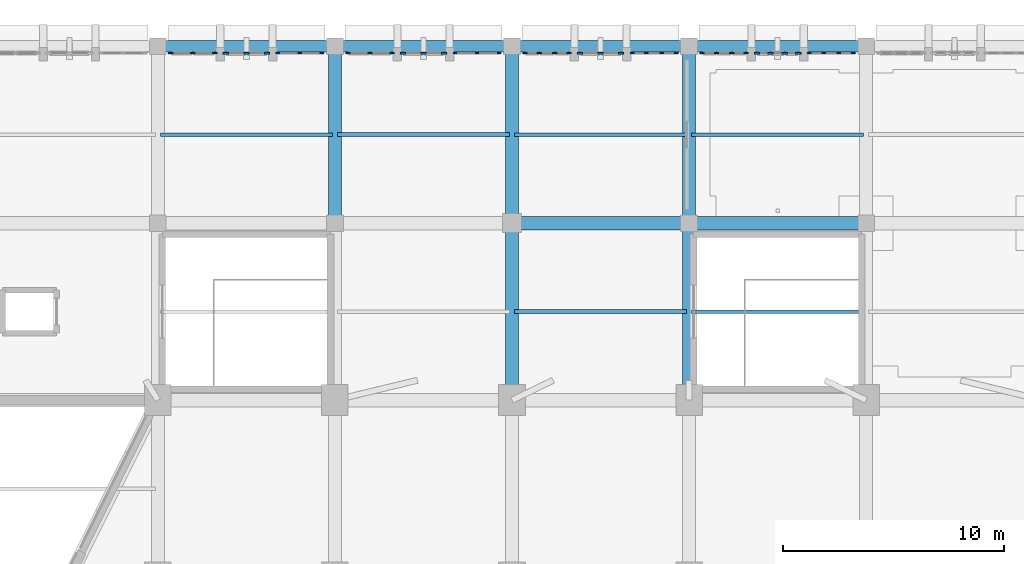
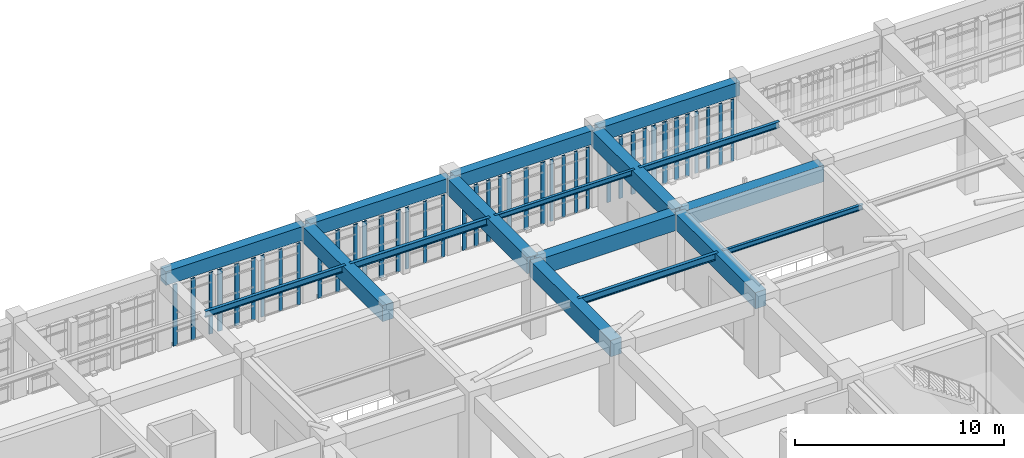
# One storey, part 31 of 155: 41 members, 17 beams, 12 elements without a shape of their own.
"""IFC4 building model written with IfcOpenShell, lengths in metres."""

from ifc_helpers import new_model, si_unit, direction, frame, origin, origin_2d, place, context, subcontext, project, spatial, rectangle, i_section, extrude, material, layer, layer_set, material_profile, profile_set, type_object, element, aggregate, save


model = new_model("IFC4")

# Units and contexts
model_context = context("Model", 3, precision=1e-05, world=origin(), true_north=direction((0.0, 1.0)))
body_context = subcontext(model_context, "Body", "Model", "MODEL_VIEW")
ifc_project = project(units=[si_unit("LENGTHUNIT", "METRE"), si_unit("AREAUNIT", "SQUARE_METRE"), si_unit("VOLUMEUNIT", "CUBIC_METRE"), si_unit("PLANEANGLEUNIT", "RADIAN"), si_unit("MASSUNIT", "GRAM", prefix="KILO")], contexts=[model_context])

# Site, building, storey
site_placement = place(None, origin())
site = spatial("IfcSite", under=ifc_project, at=site_placement, CompositionType="ELEMENT")
building_placement = place(site_placement, origin())
building = spatial("IfcBuilding", under=site, at=building_placement, Name="Tazarka Park Arena", CompositionType="ELEMENT")
storey_placement = place(building_placement, frame((0.0, 0.0, 5.39990234375)))
storey = spatial("IfcBuildingStorey", under=building, at=storey_placement, Name="L01", CompositionType="ELEMENT", Elevation=5.39990234375)

# Beams
ifc_material_1 = material(Name="Concrete C40/50", Category="concrete")
ifc_material_profile_1 = material_profile(ifc_material_1, rectangle(XDim=0.60009765625, YDim=0.949951171875, at=origin_2d()), Name="Concrete C40/50")
ifc_profile_set_1 = profile_set([ifc_material_profile_1], Name="Concrete C40/50")
beam_type_1 = type_object("IfcBeamType", Name="BM-B-03", PredefinedType="BEAM", material=ifc_profile_set_1)
for number, where, z_axis, x_axis, name in (
    (1, (72.0, 120.1201171875, 3.945068359375), (0.0, 1.0, 0.0), (-1.0, 0.0, 0.0), "GYM-L01-09-15"),
    (2, (80.0, 112.1201171875, 3.945068359375), (0.0, 1.0, 0.0), (-1.0, 0.0, 0.0), "GYM-L01-10-14"),
    (3, (80.1201171875, 120.0, 3.945068359375), (1.0, 0.0, 0.0), (0.0, 1.0, 0.0), "GXM-L01-10-15"),
    (4, (80.0, 120.1201171875, 3.945068359375), (0.0, 1.0, 0.0), (-1.0, 0.0, 0.0), "GYM-L01-10-15"),
    (5, (88.0, 112.1201171875, 3.945068359375), (0.0, 1.0, 0.0), (-1.0, 0.0, 0.0), "GYM-L01-11-14"),
    (6, (88.1201171875, 120.0, 3.945068359375), (1.0, 0.0, 0.0), (0.0, 1.0, 0.0), "GXM-L01-11-15"),
    (7, (88.0, 120.1201171875, 3.945068359375), (0.0, 1.0, 0.0), (-1.0, 0.0, 0.0), "GYM-L01-11-15"),
):
    element("IfcBeam", number, at=place(storey_placement, frame(where, z_axis=z_axis, x_axis=x_axis)), inside=storey, type_object=beam_type_1, Name=name, PredefinedType="BEAM", context=body_context, shape_type="SweptSolid", body=[
        extrude(rectangle(XDim=0.60009765625, YDim=0.949951171875, at=origin_2d()), origin(), (0.0, 0.0, 1.0), 7.759765625),
    ])
ifc_material_2 = material(Name="Steel S355", Category="steel")
ifc_material_profile_2 = material_profile(ifc_material_2, i_section(OverallWidth=0.14990234375, OverallDepth=0.300048828125, WebThickness=0.007080078125, FlangeThickness=0.0107421875, FilletRadius=0.014892578125, at=origin_2d()), Name="Steel S355")
ifc_profile_set_2 = profile_set([ifc_material_profile_2], Name="Steel S355")
beam_type_2 = type_object("IfcBeamType", Name="BM-J-01", PredefinedType="JOIST", material=ifc_profile_set_2)
for number, where, z_axis, x_axis, name in (
    (8, (80.1201171875, 124.0, 4.27001953125), (1.0, 0.0, 0.0), (0.0, 1.0, 0.0), "JST-L01-10-15"),
    (9, (88.1201171875, 116.0, 4.27001953125), (1.0, 0.0, 0.0), (0.0, 1.0, 0.0), "JST-L01-11-14"),
):
    element("IfcBeam", number, at=place(storey_placement, frame(where, z_axis=z_axis, x_axis=x_axis)), inside=storey, type_object=beam_type_2, Name=name, PredefinedType="JOIST", context=body_context, shape_type="SweptSolid", body=[
        extrude(i_section(OverallWidth=0.14990234375, OverallDepth=0.300048828125, WebThickness=0.007080078125, FlangeThickness=0.0107421875, FilletRadius=0.014892578125, at=origin_2d()), origin(), (0.0, 0.0, 1.0), 7.759765625),
    ])
ifc_material_3 = material(Name="Steel S355", Category="steel")
ifc_material_profile_3 = material_profile(ifc_material_3, i_section(OverallWidth=0.169921875, OverallDepth=0.360107421875, WebThickness=0.008056640625, FlangeThickness=0.0126953125, FilletRadius=0.01806640625, at=origin_2d()), Name="Steel S355")
ifc_profile_set_3 = profile_set([ifc_material_profile_3], Name="Steel S355")
beam_type_3 = type_object("IfcBeamType", Name="BM-J-02", PredefinedType="JOIST", material=ifc_profile_set_3)
for number, where, z_axis, x_axis, name in (
    (10, (64.1201171875, 124.0, 4.239990234375), (1.0, 0.0, 0.0), (0.0, 1.0, 0.0), "JST-L01-08-15"),
    (11, (88.1201171875, 124.0, 4.239990234375), (1.0, 0.0, 0.0), (0.0, 1.0, 0.0), "JST-L01-11-15"),
):
    element("IfcBeam", number, at=place(storey_placement, frame(where, z_axis=z_axis, x_axis=x_axis)), inside=storey, type_object=beam_type_3, Name=name, PredefinedType="JOIST", context=body_context, shape_type="SweptSolid", body=[
        extrude(i_section(OverallWidth=0.169921875, OverallDepth=0.360107421875, WebThickness=0.008056640625, FlangeThickness=0.0126953125, FilletRadius=0.01806640625, at=origin_2d()), origin(), (0.0, 0.0, 1.0), 7.759765625),
    ])
ifc_material_4 = material(Name="Steel S355", Category="steel")
ifc_material_profile_4 = material_profile(ifc_material_4, i_section(OverallWidth=0.179931640625, OverallDepth=0.39990234375, WebThickness=0.008544921875, FlangeThickness=0.013427734375, FilletRadius=0.02099609375, at=origin_2d()), Name="Steel S355")
ifc_profile_set_4 = profile_set([ifc_material_profile_4], Name="Steel S355")
beam_type_4 = type_object("IfcBeamType", Name="BM-J-03", PredefinedType="JOIST", material=ifc_profile_set_4)
for number, where, z_axis, x_axis, name in (
    (12, (72.1201171875, 124.0, 4.22021484375), (1.0, 0.0, 0.0), (0.0, 1.0, 0.0), "JST-L01-09-15"),
    (13, (80.1201171875, 116.0, 4.22021484375), (1.0, 0.0, 0.0), (0.0, 1.0, 0.0), "JST-L01-10-14"),
):
    element("IfcBeam", number, at=place(storey_placement, frame(where, z_axis=z_axis, x_axis=x_axis)), inside=storey, type_object=beam_type_4, Name=name, PredefinedType="JOIST", context=body_context, shape_type="SweptSolid", body=[
        extrude(i_section(OverallWidth=0.179931640625, OverallDepth=0.39990234375, WebThickness=0.008544921875, FlangeThickness=0.013427734375, FilletRadius=0.02099609375, at=origin_2d()), origin(), (0.0, 0.0, 1.0), 7.759765625),
    ])
ifc_material_5 = material(Name="Concrete C40/50", Category="concrete")
ifc_material_profile_5 = material_profile(ifc_material_5, rectangle(XDim=0.5, YDim=0.800048828125, at=origin_2d()), Name="Concrete C40/50")
ifc_profile_set_5 = profile_set([ifc_material_profile_5], Name="Concrete C40/50")
beam_type_5 = type_object("IfcBeamType", Name="BM-SP-01", PredefinedType="SPANDREL", material=ifc_profile_set_5)
for number, where, z_axis, x_axis, name in (
    (14, (64.1201171875, 128.0, 4.02001953125), (1.0, 0.0, 0.0), (0.0, 1.0, 0.0), "GXM-L01-08-16"),
    (15, (72.1201171875, 128.0, 4.02001953125), (1.0, 0.0, 0.0), (0.0, 1.0, 0.0), "GXM-L01-09-16"),
    (16, (80.1201171875, 128.0, 4.02001953125), (1.0, 0.0, 0.0), (0.0, 1.0, 0.0), "GXM-L01-10-16"),
    (17, (88.1201171875, 128.0, 4.02001953125), (1.0, 0.0, 0.0), (0.0, 1.0, 0.0), "GXM-L01-11-16"),
):
    element("IfcBeam", number, at=place(storey_placement, frame(where, z_axis=z_axis, x_axis=x_axis)), inside=storey, type_object=beam_type_5, Name=name, PredefinedType="SPANDREL", context=body_context, shape_type="SweptSolid", body=[
        extrude(rectangle(XDim=0.5, YDim=0.800048828125, at=origin_2d()), origin(), (0.0, 0.0, 1.0), 7.759765625),
    ])

# Curtain wall, members
ifc_material_6 = material(Name="Aluminium and low-e glass", Category="aluminium")
ifc_layer_1 = layer(ifc_material_6, 0.179931640625, Name="Aluminium and low-e glass")
ifc_layer_set_1 = layer_set([ifc_layer_1], Name="Aluminium and low-e glass")
curtain_wall_type_1 = type_object("IfcCurtainWallType", Name="CW-06", PredefinedType="NOTDEFINED", material=ifc_layer_set_1)
curtain_wall_1_placement = place(storey_placement, origin())
curtain_wall_1 = element("IfcCurtainWall", 18, at=curtain_wall_1_placement, inside=storey, type_object=curtain_wall_type_1, Name="Curtain Wall CWA-L01-036", PredefinedType="NOTDEFINED")
ifc_material_7 = material(Name="Aluminium 6060-T66", Category="aluminium")
ifc_material_profile_6 = material_profile(ifc_material_7, rectangle(XDim=0.06494140625, YDim=0.179931640625, at=origin_2d()), Name="Aluminium 6060-T66")
ifc_profile_set_6 = profile_set([ifc_material_profile_6], Name="Aluminium 6060-T66")
member_type_1 = type_object("IfcMemberType", Name="CWM-01", PredefinedType="MULLION", material=ifc_profile_set_6)
member_1_placement = place(storey_placement, frame((93.42431640625, 127.679931640625, 0.0), z_axis=(0.0, 0.0, 1.0), x_axis=(0.0, 1.0, 0.0)))
member_1 = element("IfcMember", 19, at=member_1_placement, type_object=member_type_1, Name="CW-06 mullion 1", PredefinedType="MULLION", context=body_context, shape_type="SweptSolid", body=[
    extrude(rectangle(XDim=0.06494140625, YDim=0.179931640625, at=origin_2d()), origin(), (0.0, 0.0, 1.0), 3.60009765625),
])
member_2_placement = place(storey_placement, frame((94.076171875, 127.679931640625, 0.0), z_axis=(0.0, 0.0, 1.0), x_axis=(0.0, 1.0, 0.0)))
member_2 = element("IfcMember", 20, at=member_2_placement, type_object=member_type_1, Name="CW-06 mullion 2", PredefinedType="MULLION", context=body_context, shape_type="SweptSolid", body=[
    extrude(rectangle(XDim=0.06494140625, YDim=0.179931640625, at=origin_2d()), origin(), (0.0, 0.0, 1.0), 3.60009765625),
])
member_3_placement = place(storey_placement, frame((94.760498046875, 127.679931640625, 0.0), z_axis=(0.0, 0.0, 1.0), x_axis=(0.0, 1.0, 0.0)))
member_3 = element("IfcMember", 21, at=member_3_placement, type_object=member_type_1, Name="CW-06 mullion 3", PredefinedType="MULLION", context=body_context, shape_type="SweptSolid", body=[
    extrude(rectangle(XDim=0.06494140625, YDim=0.179931640625, at=origin_2d()), origin(), (0.0, 0.0, 1.0), 3.60009765625),
])
member_4_placement = place(storey_placement, frame((95.41259765625, 127.679931640625, 0.0), z_axis=(0.0, 0.0, 1.0), x_axis=(0.0, 1.0, 0.0)))
member_4 = element("IfcMember", 22, at=member_4_placement, type_object=member_type_1, Name="CW-06 mullion 4", PredefinedType="MULLION", context=body_context, shape_type="SweptSolid", body=[
    extrude(rectangle(XDim=0.06494140625, YDim=0.179931640625, at=origin_2d()), origin(), (0.0, 0.0, 1.0), 3.60009765625),
])
aggregate(curtain_wall_1, [member_1, member_2, member_3, member_4])

ifc_material_8 = material(Name="Aluminium and low-e glass", Category="aluminium")
ifc_layer_2 = layer(ifc_material_8, 0.179931640625, Name="Aluminium and low-e glass")
ifc_layer_set_2 = layer_set([ifc_layer_2], Name="Aluminium and low-e glass")
curtain_wall_type_2 = type_object("IfcCurtainWallType", Name="CW-09", PredefinedType="NOTDEFINED", material=ifc_layer_set_2)
curtain_wall_2_placement = place(storey_placement, origin())
curtain_wall_2 = element("IfcCurtainWall", 23, at=curtain_wall_2_placement, inside=storey, type_object=curtain_wall_type_2, Name="Curtain Wall CWA-L01-039", PredefinedType="NOTDEFINED")
member_5_placement = place(storey_placement, frame((85.42431640625, 127.679931640625, 0.0), z_axis=(0.0, 0.0, 1.0), x_axis=(0.0, 1.0, 0.0)))
member_5 = element("IfcMember", 24, at=member_5_placement, type_object=member_type_1, Name="CW-09 mullion 1", PredefinedType="MULLION", context=body_context, shape_type="SweptSolid", body=[
    extrude(rectangle(XDim=0.06494140625, YDim=0.179931640625, at=origin_2d()), origin(), (0.0, 0.0, 1.0), 3.60009765625),
])
member_6_placement = place(storey_placement, frame((86.076171875, 127.679931640625, 0.0), z_axis=(0.0, 0.0, 1.0), x_axis=(0.0, 1.0, 0.0)))
member_6 = element("IfcMember", 25, at=member_6_placement, type_object=member_type_1, Name="CW-09 mullion 2", PredefinedType="MULLION", context=body_context, shape_type="SweptSolid", body=[
    extrude(rectangle(XDim=0.06494140625, YDim=0.179931640625, at=origin_2d()), origin(), (0.0, 0.0, 1.0), 3.60009765625),
])
member_7_placement = place(storey_placement, frame((86.760498046875, 127.679931640625, 0.0), z_axis=(0.0, 0.0, 1.0), x_axis=(0.0, 1.0, 0.0)))
member_7 = element("IfcMember", 26, at=member_7_placement, type_object=member_type_1, Name="CW-09 mullion 3", PredefinedType="MULLION", context=body_context, shape_type="SweptSolid", body=[
    extrude(rectangle(XDim=0.06494140625, YDim=0.179931640625, at=origin_2d()), origin(), (0.0, 0.0, 1.0), 3.60009765625),
])
member_8_placement = place(storey_placement, frame((87.41259765625, 127.679931640625, 0.0), z_axis=(0.0, 0.0, 1.0), x_axis=(0.0, 1.0, 0.0)))
member_8 = element("IfcMember", 27, at=member_8_placement, type_object=member_type_1, Name="CW-09 mullion 4", PredefinedType="MULLION", context=body_context, shape_type="SweptSolid", body=[
    extrude(rectangle(XDim=0.06494140625, YDim=0.179931640625, at=origin_2d()), origin(), (0.0, 0.0, 1.0), 3.60009765625),
])
aggregate(curtain_wall_2, [member_5, member_6, member_7, member_8])

ifc_material_9 = material(Name="Aluminium and low-e glass", Category="aluminium")
ifc_layer_3 = layer(ifc_material_9, 0.179931640625, Name="Aluminium and low-e glass")
ifc_layer_set_3 = layer_set([ifc_layer_3], Name="Aluminium and low-e glass")
curtain_wall_type_3 = type_object("IfcCurtainWallType", Name="CW-12", PredefinedType="NOTDEFINED", material=ifc_layer_set_3)
curtain_wall_3_placement = place(storey_placement, origin())
curtain_wall_3 = element("IfcCurtainWall", 28, at=curtain_wall_3_placement, inside=storey, type_object=curtain_wall_type_3, Name="Curtain Wall CWA-L01-042", PredefinedType="NOTDEFINED")
member_9_placement = place(storey_placement, frame((77.42431640625, 127.679931640625, 0.0), z_axis=(0.0, 0.0, 1.0), x_axis=(0.0, 1.0, 0.0)))
member_9 = element("IfcMember", 29, at=member_9_placement, type_object=member_type_1, Name="CW-12 mullion 1", PredefinedType="MULLION", context=body_context, shape_type="SweptSolid", body=[
    extrude(rectangle(XDim=0.06494140625, YDim=0.179931640625, at=origin_2d()), origin(), (0.0, 0.0, 1.0), 3.60009765625),
])
member_10_placement = place(storey_placement, frame((78.41845703125, 127.679931640625, 0.0), z_axis=(0.0, 0.0, 1.0), x_axis=(0.0, 1.0, 0.0)))
member_10 = element("IfcMember", 30, at=member_10_placement, type_object=member_type_1, Name="CW-12 mullion 2", PredefinedType="MULLION", context=body_context, shape_type="SweptSolid", body=[
    extrude(rectangle(XDim=0.06494140625, YDim=0.179931640625, at=origin_2d()), origin(), (0.0, 0.0, 1.0), 3.60009765625),
])
member_11_placement = place(storey_placement, frame((79.41259765625, 127.679931640625, 0.0), z_axis=(0.0, 0.0, 1.0), x_axis=(0.0, 1.0, 0.0)))
member_11 = element("IfcMember", 31, at=member_11_placement, type_object=member_type_1, Name="CW-12 mullion 3", PredefinedType="MULLION", context=body_context, shape_type="SweptSolid", body=[
    extrude(rectangle(XDim=0.06494140625, YDim=0.179931640625, at=origin_2d()), origin(), (0.0, 0.0, 1.0), 3.60009765625),
])
aggregate(curtain_wall_3, [member_9, member_10, member_11])

ifc_material_10 = material(Name="Aluminium and low-e glass", Category="aluminium")
ifc_layer_4 = layer(ifc_material_10, 0.179931640625, Name="Aluminium and low-e glass")
ifc_layer_set_4 = layer_set([ifc_layer_4], Name="Aluminium and low-e glass")
curtain_wall_type_4 = type_object("IfcCurtainWallType", Name="CW-15", PredefinedType="NOTDEFINED", material=ifc_layer_set_4)
curtain_wall_4_placement = place(storey_placement, origin())
curtain_wall_4 = element("IfcCurtainWall", 32, at=curtain_wall_4_placement, inside=storey, type_object=curtain_wall_type_4, Name="Curtain Wall CWA-L01-045", PredefinedType="NOTDEFINED")
member_12_placement = place(storey_placement, frame((69.42431640625, 127.679931640625, 0.0), z_axis=(0.0, 0.0, 1.0), x_axis=(0.0, 1.0, 0.0)))
member_12 = element("IfcMember", 33, at=member_12_placement, type_object=member_type_1, Name="CW-15 mullion 1", PredefinedType="MULLION", context=body_context, shape_type="SweptSolid", body=[
    extrude(rectangle(XDim=0.06494140625, YDim=0.179931640625, at=origin_2d()), origin(), (0.0, 0.0, 1.0), 3.60009765625),
])
member_13_placement = place(storey_placement, frame((70.41845703125, 127.679931640625, 0.0), z_axis=(0.0, 0.0, 1.0), x_axis=(0.0, 1.0, 0.0)))
member_13 = element("IfcMember", 34, at=member_13_placement, type_object=member_type_1, Name="CW-15 mullion 2", PredefinedType="MULLION", context=body_context, shape_type="SweptSolid", body=[
    extrude(rectangle(XDim=0.06494140625, YDim=0.179931640625, at=origin_2d()), origin(), (0.0, 0.0, 1.0), 3.60009765625),
])
member_14_placement = place(storey_placement, frame((71.41259765625, 127.679931640625, 0.0), z_axis=(0.0, 0.0, 1.0), x_axis=(0.0, 1.0, 0.0)))
member_14 = element("IfcMember", 35, at=member_14_placement, type_object=member_type_1, Name="CW-15 mullion 3", PredefinedType="MULLION", context=body_context, shape_type="SweptSolid", body=[
    extrude(rectangle(XDim=0.06494140625, YDim=0.179931640625, at=origin_2d()), origin(), (0.0, 0.0, 1.0), 3.60009765625),
])
aggregate(curtain_wall_4, [member_12, member_13, member_14])

ifc_material_11 = material(Name="Aluminium and low-e glass", Category="aluminium")
ifc_layer_5 = layer(ifc_material_11, 0.179931640625, Name="Aluminium and low-e glass")
ifc_layer_set_5 = layer_set([ifc_layer_5], Name="Aluminium and low-e glass")
curtain_wall_type_5 = type_object("IfcCurtainWallType", Name="CW-04", PredefinedType="NOTDEFINED", material=ifc_layer_set_5)
curtain_wall_5_placement = place(storey_placement, origin())
curtain_wall_5 = element("IfcCurtainWall", 36, at=curtain_wall_5_placement, inside=storey, type_object=curtain_wall_type_5, Name="Curtain Wall CWA-L01-034", PredefinedType="NOTDEFINED")
ifc_material_12 = material(Name="Aluminium 6060-T66", Category="aluminium")
ifc_material_profile_7 = material_profile(ifc_material_12, rectangle(XDim=0.06494140625, YDim=0.219970703125, at=origin_2d()), Name="Aluminium 6060-T66")
ifc_profile_set_7 = profile_set([ifc_material_profile_7], Name="Aluminium 6060-T66")
member_type_2 = type_object("IfcMemberType", Name="CWM-02", PredefinedType="MULLION", material=ifc_profile_set_7)
member_15_placement = place(storey_placement, frame((88.58740234375, 127.679931640625, 0.0), z_axis=(0.0, 0.0, 1.0), x_axis=(0.0, 1.0, 0.0)))
member_15 = element("IfcMember", 37, at=member_15_placement, type_object=member_type_2, Name="CW-04 mullion 1", PredefinedType="MULLION", context=body_context, shape_type="SweptSolid", body=[
    extrude(rectangle(XDim=0.06494140625, YDim=0.219970703125, at=origin_2d()), origin(), (0.0, 0.0, 1.0), 3.60009765625),
])
member_16_placement = place(storey_placement, frame((89.239501953125, 127.679931640625, 0.0), z_axis=(0.0, 0.0, 1.0), x_axis=(0.0, 1.0, 0.0)))
member_16 = element("IfcMember", 38, at=member_16_placement, type_object=member_type_2, Name="CW-04 mullion 2", PredefinedType="MULLION", context=body_context, shape_type="SweptSolid", body=[
    extrude(rectangle(XDim=0.06494140625, YDim=0.219970703125, at=origin_2d()), origin(), (0.0, 0.0, 1.0), 3.60009765625),
])
member_17_placement = place(storey_placement, frame((89.923828125, 127.679931640625, 0.0), z_axis=(0.0, 0.0, 1.0), x_axis=(0.0, 1.0, 0.0)))
member_17 = element("IfcMember", 39, at=member_17_placement, type_object=member_type_2, Name="CW-04 mullion 3", PredefinedType="MULLION", context=body_context, shape_type="SweptSolid", body=[
    extrude(rectangle(XDim=0.06494140625, YDim=0.219970703125, at=origin_2d()), origin(), (0.0, 0.0, 1.0), 3.60009765625),
])
member_18_placement = place(storey_placement, frame((90.57568359375, 127.679931640625, 0.0), z_axis=(0.0, 0.0, 1.0), x_axis=(0.0, 1.0, 0.0)))
member_18 = element("IfcMember", 40, at=member_18_placement, type_object=member_type_2, Name="CW-04 mullion 4", PredefinedType="MULLION", context=body_context, shape_type="SweptSolid", body=[
    extrude(rectangle(XDim=0.06494140625, YDim=0.219970703125, at=origin_2d()), origin(), (0.0, 0.0, 1.0), 3.60009765625),
])
aggregate(curtain_wall_5, [member_15, member_16, member_17, member_18])

ifc_material_13 = material(Name="Aluminium and low-e glass", Category="aluminium")
ifc_layer_6 = layer(ifc_material_13, 0.179931640625, Name="Aluminium and low-e glass")
ifc_layer_set_6 = layer_set([ifc_layer_6], Name="Aluminium and low-e glass")
curtain_wall_type_6 = type_object("IfcCurtainWallType", Name="CW-07", PredefinedType="NOTDEFINED", material=ifc_layer_set_6)
curtain_wall_6_placement = place(storey_placement, origin())
curtain_wall_6 = element("IfcCurtainWall", 41, at=curtain_wall_6_placement, inside=storey, type_object=curtain_wall_type_6, Name="Curtain Wall CWA-L01-037", PredefinedType="NOTDEFINED")
member_19_placement = place(storey_placement, frame((80.58740234375, 127.679931640625, 0.0), z_axis=(0.0, 0.0, 1.0), x_axis=(0.0, 1.0, 0.0)))
member_19 = element("IfcMember", 42, at=member_19_placement, type_object=member_type_2, Name="CW-07 mullion 1", PredefinedType="MULLION", context=body_context, shape_type="SweptSolid", body=[
    extrude(rectangle(XDim=0.06494140625, YDim=0.219970703125, at=origin_2d()), origin(), (0.0, 0.0, 1.0), 3.60009765625),
])
member_20_placement = place(storey_placement, frame((81.239501953125, 127.679931640625, 0.0), z_axis=(0.0, 0.0, 1.0), x_axis=(0.0, 1.0, 0.0)))
member_20 = element("IfcMember", 43, at=member_20_placement, type_object=member_type_2, Name="CW-07 mullion 2", PredefinedType="MULLION", context=body_context, shape_type="SweptSolid", body=[
    extrude(rectangle(XDim=0.06494140625, YDim=0.219970703125, at=origin_2d()), origin(), (0.0, 0.0, 1.0), 3.60009765625),
])
member_21_placement = place(storey_placement, frame((81.923828125, 127.679931640625, 0.0), z_axis=(0.0, 0.0, 1.0), x_axis=(0.0, 1.0, 0.0)))
member_21 = element("IfcMember", 44, at=member_21_placement, type_object=member_type_2, Name="CW-07 mullion 3", PredefinedType="MULLION", context=body_context, shape_type="SweptSolid", body=[
    extrude(rectangle(XDim=0.06494140625, YDim=0.219970703125, at=origin_2d()), origin(), (0.0, 0.0, 1.0), 3.60009765625),
])
member_22_placement = place(storey_placement, frame((82.57568359375, 127.679931640625, 0.0), z_axis=(0.0, 0.0, 1.0), x_axis=(0.0, 1.0, 0.0)))
member_22 = element("IfcMember", 45, at=member_22_placement, type_object=member_type_2, Name="CW-07 mullion 4", PredefinedType="MULLION", context=body_context, shape_type="SweptSolid", body=[
    extrude(rectangle(XDim=0.06494140625, YDim=0.219970703125, at=origin_2d()), origin(), (0.0, 0.0, 1.0), 3.60009765625),
])
aggregate(curtain_wall_6, [member_19, member_20, member_21, member_22])

ifc_material_14 = material(Name="Aluminium and low-e glass", Category="aluminium")
ifc_layer_7 = layer(ifc_material_14, 0.179931640625, Name="Aluminium and low-e glass")
ifc_layer_set_7 = layer_set([ifc_layer_7], Name="Aluminium and low-e glass")
curtain_wall_type_7 = type_object("IfcCurtainWallType", Name="CW-10", PredefinedType="NOTDEFINED", material=ifc_layer_set_7)
curtain_wall_7_placement = place(storey_placement, origin())
curtain_wall_7 = element("IfcCurtainWall", 46, at=curtain_wall_7_placement, inside=storey, type_object=curtain_wall_type_7, Name="Curtain Wall CWA-L01-040", PredefinedType="NOTDEFINED")
member_23_placement = place(storey_placement, frame((72.58740234375, 127.679931640625, 0.0), z_axis=(0.0, 0.0, 1.0), x_axis=(0.0, 1.0, 0.0)))
member_23 = element("IfcMember", 47, at=member_23_placement, type_object=member_type_2, Name="CW-10 mullion 1", PredefinedType="MULLION", context=body_context, shape_type="SweptSolid", body=[
    extrude(rectangle(XDim=0.06494140625, YDim=0.219970703125, at=origin_2d()), origin(), (0.0, 0.0, 1.0), 3.60009765625),
])
member_24_placement = place(storey_placement, frame((73.58154296875, 127.679931640625, 0.0), z_axis=(0.0, 0.0, 1.0), x_axis=(0.0, 1.0, 0.0)))
member_24 = element("IfcMember", 48, at=member_24_placement, type_object=member_type_2, Name="CW-10 mullion 2", PredefinedType="MULLION", context=body_context, shape_type="SweptSolid", body=[
    extrude(rectangle(XDim=0.06494140625, YDim=0.219970703125, at=origin_2d()), origin(), (0.0, 0.0, 1.0), 3.60009765625),
])
member_25_placement = place(storey_placement, frame((74.57568359375, 127.679931640625, 0.0), z_axis=(0.0, 0.0, 1.0), x_axis=(0.0, 1.0, 0.0)))
member_25 = element("IfcMember", 49, at=member_25_placement, type_object=member_type_2, Name="CW-10 mullion 3", PredefinedType="MULLION", context=body_context, shape_type="SweptSolid", body=[
    extrude(rectangle(XDim=0.06494140625, YDim=0.219970703125, at=origin_2d()), origin(), (0.0, 0.0, 1.0), 3.60009765625),
])
aggregate(curtain_wall_7, [member_23, member_24, member_25])

ifc_material_15 = material(Name="Aluminium and low-e glass", Category="aluminium")
ifc_layer_8 = layer(ifc_material_15, 0.179931640625, Name="Aluminium and low-e glass")
ifc_layer_set_8 = layer_set([ifc_layer_8], Name="Aluminium and low-e glass")
curtain_wall_type_8 = type_object("IfcCurtainWallType", Name="CW-13", PredefinedType="NOTDEFINED", material=ifc_layer_set_8)
curtain_wall_8_placement = place(storey_placement, origin())
curtain_wall_8 = element("IfcCurtainWall", 50, at=curtain_wall_8_placement, inside=storey, type_object=curtain_wall_type_8, Name="Curtain Wall CWA-L01-043", PredefinedType="NOTDEFINED")
member_26_placement = place(storey_placement, frame((64.58740234375, 127.679931640625, 0.0), z_axis=(0.0, 0.0, 1.0), x_axis=(0.0, 1.0, 0.0)))
member_26 = element("IfcMember", 51, at=member_26_placement, type_object=member_type_2, Name="CW-13 mullion 1", PredefinedType="MULLION", context=body_context, shape_type="SweptSolid", body=[
    extrude(rectangle(XDim=0.06494140625, YDim=0.219970703125, at=origin_2d()), origin(), (0.0, 0.0, 1.0), 3.60009765625),
])
member_27_placement = place(storey_placement, frame((65.58154296875, 127.679931640625, 0.0), z_axis=(0.0, 0.0, 1.0), x_axis=(0.0, 1.0, 0.0)))
member_27 = element("IfcMember", 52, at=member_27_placement, type_object=member_type_2, Name="CW-13 mullion 2", PredefinedType="MULLION", context=body_context, shape_type="SweptSolid", body=[
    extrude(rectangle(XDim=0.06494140625, YDim=0.219970703125, at=origin_2d()), origin(), (0.0, 0.0, 1.0), 3.60009765625),
])
member_28_placement = place(storey_placement, frame((66.57568359375, 127.679931640625, 0.0), z_axis=(0.0, 0.0, 1.0), x_axis=(0.0, 1.0, 0.0)))
member_28 = element("IfcMember", 53, at=member_28_placement, type_object=member_type_2, Name="CW-13 mullion 3", PredefinedType="MULLION", context=body_context, shape_type="SweptSolid", body=[
    extrude(rectangle(XDim=0.06494140625, YDim=0.219970703125, at=origin_2d()), origin(), (0.0, 0.0, 1.0), 3.60009765625),
])
aggregate(curtain_wall_8, [member_26, member_27, member_28])

ifc_material_16 = material(Name="Aluminium and low-e glass", Category="aluminium")
ifc_layer_9 = layer(ifc_material_16, 0.179931640625, Name="Aluminium and low-e glass")
ifc_layer_set_9 = layer_set([ifc_layer_9], Name="Aluminium and low-e glass")
curtain_wall_type_9 = type_object("IfcCurtainWallType", Name="CW-05", PredefinedType="NOTDEFINED", material=ifc_layer_set_9)
curtain_wall_9_placement = place(storey_placement, origin())
curtain_wall_9 = element("IfcCurtainWall", 54, at=curtain_wall_9_placement, inside=storey, type_object=curtain_wall_type_9, Name="Curtain Wall CWA-L01-035", PredefinedType="NOTDEFINED")
ifc_material_17 = material(Name="Aluminium 6060-T66", Category="aluminium")
ifc_material_profile_8 = material_profile(ifc_material_17, rectangle(XDim=0.074951171875, YDim=0.25, at=origin_2d()), Name="Aluminium 6060-T66")
ifc_profile_set_8 = profile_set([ifc_material_profile_8], Name="Aluminium 6060-T66")
member_type_3 = type_object("IfcMemberType", Name="CWM-03", PredefinedType="MULLION", material=ifc_profile_set_8)
member_29_placement = place(storey_placement, frame((91.06591796875, 127.679931640625, 0.0), z_axis=(0.0, 0.0, 1.0), x_axis=(0.0, 1.0, 0.0)))
member_29 = element("IfcMember", 55, at=member_29_placement, type_object=member_type_3, Name="CW-05 mullion 1", PredefinedType="MULLION", context=body_context, shape_type="SweptSolid", body=[
    extrude(rectangle(XDim=0.074951171875, YDim=0.25, at=origin_2d()), origin(), (0.0, 0.0, 1.0), 3.60009765625),
])
member_30_placement = place(storey_placement, frame((91.676025390625, 127.679931640625, 0.0), z_axis=(0.0, 0.0, 1.0), x_axis=(0.0, 1.0, 0.0)))
member_30 = element("IfcMember", 56, at=member_30_placement, type_object=member_type_3, Name="CW-05 mullion 2", PredefinedType="MULLION", context=body_context, shape_type="SweptSolid", body=[
    extrude(rectangle(XDim=0.074951171875, YDim=0.25, at=origin_2d()), origin(), (0.0, 0.0, 1.0), 3.60009765625),
])
member_31_placement = place(storey_placement, frame((92.323974609375, 127.679931640625, 0.0), z_axis=(0.0, 0.0, 1.0), x_axis=(0.0, 1.0, 0.0)))
member_31 = element("IfcMember", 57, at=member_31_placement, type_object=member_type_3, Name="CW-05 mullion 3", PredefinedType="MULLION", context=body_context, shape_type="SweptSolid", body=[
    extrude(rectangle(XDim=0.074951171875, YDim=0.25, at=origin_2d()), origin(), (0.0, 0.0, 1.0), 3.60009765625),
])
member_32_placement = place(storey_placement, frame((92.93408203125, 127.679931640625, 0.0), z_axis=(0.0, 0.0, 1.0), x_axis=(0.0, 1.0, 0.0)))
member_32 = element("IfcMember", 58, at=member_32_placement, type_object=member_type_3, Name="CW-05 mullion 4", PredefinedType="MULLION", context=body_context, shape_type="SweptSolid", body=[
    extrude(rectangle(XDim=0.074951171875, YDim=0.25, at=origin_2d()), origin(), (0.0, 0.0, 1.0), 3.60009765625),
])
aggregate(curtain_wall_9, [member_29, member_30, member_31, member_32])

ifc_material_18 = material(Name="Aluminium and low-e glass", Category="aluminium")
ifc_layer_10 = layer(ifc_material_18, 0.179931640625, Name="Aluminium and low-e glass")
ifc_layer_set_10 = layer_set([ifc_layer_10], Name="Aluminium and low-e glass")
curtain_wall_type_10 = type_object("IfcCurtainWallType", Name="CW-08", PredefinedType="NOTDEFINED", material=ifc_layer_set_10)
curtain_wall_10_placement = place(storey_placement, origin())
curtain_wall_10 = element("IfcCurtainWall", 59, at=curtain_wall_10_placement, inside=storey, type_object=curtain_wall_type_10, Name="Curtain Wall CWA-L01-038", PredefinedType="NOTDEFINED")
member_33_placement = place(storey_placement, frame((83.06591796875, 127.679931640625, 0.0), z_axis=(0.0, 0.0, 1.0), x_axis=(0.0, 1.0, 0.0)))
member_33 = element("IfcMember", 60, at=member_33_placement, type_object=member_type_3, Name="CW-08 mullion 1", PredefinedType="MULLION", context=body_context, shape_type="SweptSolid", body=[
    extrude(rectangle(XDim=0.074951171875, YDim=0.25, at=origin_2d()), origin(), (0.0, 0.0, 1.0), 3.60009765625),
])
member_34_placement = place(storey_placement, frame((84.0, 127.679931640625, 0.0), z_axis=(0.0, 0.0, 1.0), x_axis=(0.0, 1.0, 0.0)))
member_34 = element("IfcMember", 61, at=member_34_placement, type_object=member_type_3, Name="CW-08 mullion 2", PredefinedType="MULLION", context=body_context, shape_type="SweptSolid", body=[
    extrude(rectangle(XDim=0.074951171875, YDim=0.25, at=origin_2d()), origin(), (0.0, 0.0, 1.0), 3.60009765625),
])
member_35_placement = place(storey_placement, frame((84.93408203125, 127.679931640625, 0.0), z_axis=(0.0, 0.0, 1.0), x_axis=(0.0, 1.0, 0.0)))
member_35 = element("IfcMember", 62, at=member_35_placement, type_object=member_type_3, Name="CW-08 mullion 3", PredefinedType="MULLION", context=body_context, shape_type="SweptSolid", body=[
    extrude(rectangle(XDim=0.074951171875, YDim=0.25, at=origin_2d()), origin(), (0.0, 0.0, 1.0), 3.60009765625),
])
aggregate(curtain_wall_10, [member_33, member_34, member_35])

ifc_material_19 = material(Name="Aluminium and low-e glass", Category="aluminium")
ifc_layer_11 = layer(ifc_material_19, 0.179931640625, Name="Aluminium and low-e glass")
ifc_layer_set_11 = layer_set([ifc_layer_11], Name="Aluminium and low-e glass")
curtain_wall_type_11 = type_object("IfcCurtainWallType", Name="CW-11", PredefinedType="NOTDEFINED", material=ifc_layer_set_11)
curtain_wall_11_placement = place(storey_placement, origin())
curtain_wall_11 = element("IfcCurtainWall", 63, at=curtain_wall_11_placement, inside=storey, type_object=curtain_wall_type_11, Name="Curtain Wall CWA-L01-041", PredefinedType="NOTDEFINED")
member_36_placement = place(storey_placement, frame((75.06591796875, 127.679931640625, 0.0), z_axis=(0.0, 0.0, 1.0), x_axis=(0.0, 1.0, 0.0)))
member_36 = element("IfcMember", 64, at=member_36_placement, type_object=member_type_3, Name="CW-11 mullion 1", PredefinedType="MULLION", context=body_context, shape_type="SweptSolid", body=[
    extrude(rectangle(XDim=0.074951171875, YDim=0.25, at=origin_2d()), origin(), (0.0, 0.0, 1.0), 3.60009765625),
])
member_37_placement = place(storey_placement, frame((76.0, 127.679931640625, 0.0), z_axis=(0.0, 0.0, 1.0), x_axis=(0.0, 1.0, 0.0)))
member_37 = element("IfcMember", 65, at=member_37_placement, type_object=member_type_3, Name="CW-11 mullion 2", PredefinedType="MULLION", context=body_context, shape_type="SweptSolid", body=[
    extrude(rectangle(XDim=0.074951171875, YDim=0.25, at=origin_2d()), origin(), (0.0, 0.0, 1.0), 3.60009765625),
])
member_38_placement = place(storey_placement, frame((76.93408203125, 127.679931640625, 0.0), z_axis=(0.0, 0.0, 1.0), x_axis=(0.0, 1.0, 0.0)))
member_38 = element("IfcMember", 66, at=member_38_placement, type_object=member_type_3, Name="CW-11 mullion 3", PredefinedType="MULLION", context=body_context, shape_type="SweptSolid", body=[
    extrude(rectangle(XDim=0.074951171875, YDim=0.25, at=origin_2d()), origin(), (0.0, 0.0, 1.0), 3.60009765625),
])
aggregate(curtain_wall_11, [member_36, member_37, member_38])

ifc_material_20 = material(Name="Aluminium and low-e glass", Category="aluminium")
ifc_layer_12 = layer(ifc_material_20, 0.179931640625, Name="Aluminium and low-e glass")
ifc_layer_set_12 = layer_set([ifc_layer_12], Name="Aluminium and low-e glass")
curtain_wall_type_12 = type_object("IfcCurtainWallType", Name="CW-14", PredefinedType="NOTDEFINED", material=ifc_layer_set_12)
curtain_wall_12_placement = place(storey_placement, origin())
curtain_wall_12 = element("IfcCurtainWall", 67, at=curtain_wall_12_placement, inside=storey, type_object=curtain_wall_type_12, Name="Curtain Wall CWA-L01-044", PredefinedType="NOTDEFINED")
member_39_placement = place(storey_placement, frame((67.06591796875, 127.679931640625, 0.0), z_axis=(0.0, 0.0, 1.0), x_axis=(0.0, 1.0, 0.0)))
member_39 = element("IfcMember", 68, at=member_39_placement, type_object=member_type_3, Name="CW-14 mullion 1", PredefinedType="MULLION", context=body_context, shape_type="SweptSolid", body=[
    extrude(rectangle(XDim=0.074951171875, YDim=0.25, at=origin_2d()), origin(), (0.0, 0.0, 1.0), 3.60009765625),
])
member_40_placement = place(storey_placement, frame((68.0, 127.679931640625, 0.0), z_axis=(0.0, 0.0, 1.0), x_axis=(0.0, 1.0, 0.0)))
member_40 = element("IfcMember", 69, at=member_40_placement, type_object=member_type_3, Name="CW-14 mullion 2", PredefinedType="MULLION", context=body_context, shape_type="SweptSolid", body=[
    extrude(rectangle(XDim=0.074951171875, YDim=0.25, at=origin_2d()), origin(), (0.0, 0.0, 1.0), 3.60009765625),
])
member_41_placement = place(storey_placement, frame((68.93408203125, 127.679931640625, 0.0), z_axis=(0.0, 0.0, 1.0), x_axis=(0.0, 1.0, 0.0)))
member_41 = element("IfcMember", 70, at=member_41_placement, type_object=member_type_3, Name="CW-14 mullion 3", PredefinedType="MULLION", context=body_context, shape_type="SweptSolid", body=[
    extrude(rectangle(XDim=0.074951171875, YDim=0.25, at=origin_2d()), origin(), (0.0, 0.0, 1.0), 3.60009765625),
])
aggregate(curtain_wall_12, [member_39, member_40, member_41])

save(model, "model.ifc")
